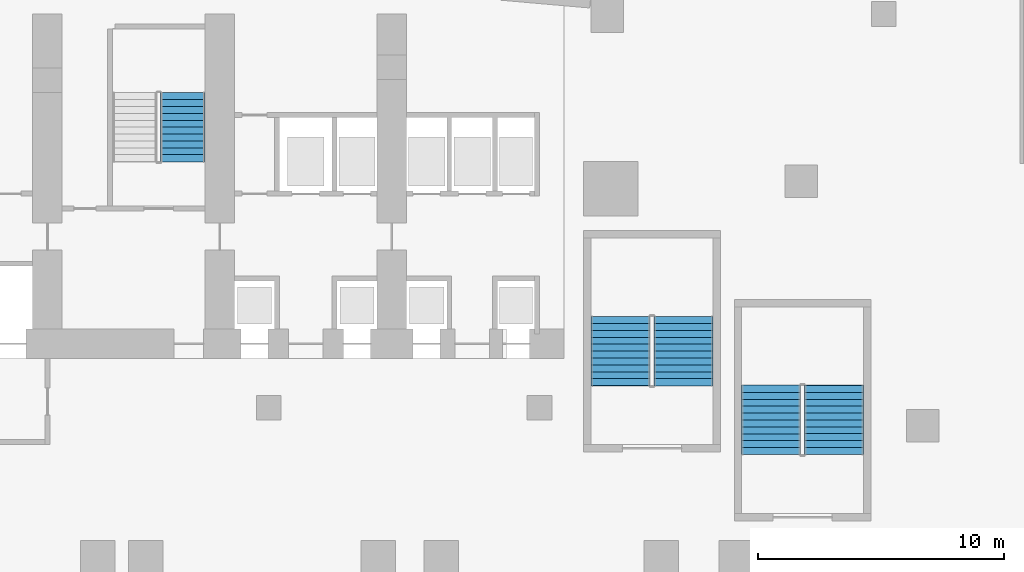
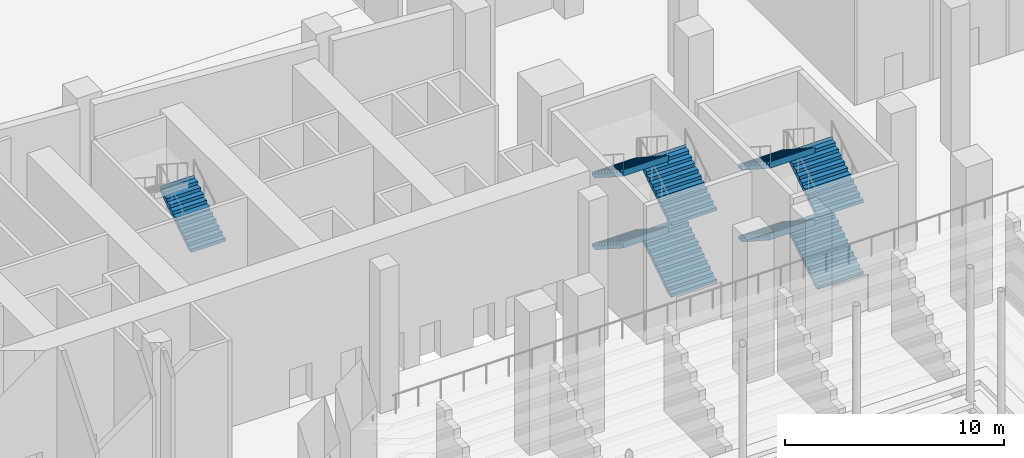
# One storey, part 31 of 41: 9 stair flights, 3 elements without a shape of their own.
"""IFC4 building model written with IfcOpenShell, lengths in metres."""

from ifc_helpers import new_model, si_unit, direction, frame, origin, place, context, subcontext, project, spatial, polyline, outline, extrude, material, type_object, element, aggregate, save


model = new_model("IFC4")

# Units and contexts
model_context = context("Model", 3, precision=1e-05, world=origin(), true_north=direction((0.0, 1.0)))
body_context = subcontext(model_context, "Body", "Model", "MODEL_VIEW")
ifc_project = project(units=[si_unit("LENGTHUNIT", "METRE"), si_unit("AREAUNIT", "SQUARE_METRE"), si_unit("VOLUMEUNIT", "CUBIC_METRE"), si_unit("PLANEANGLEUNIT", "RADIAN"), si_unit("MASSUNIT", "GRAM", prefix="KILO")], contexts=[model_context])

# Site, building, storey
site_placement = place(None, origin())
site = spatial("IfcSite", under=ifc_project, at=site_placement, CompositionType="ELEMENT")
building_placement = place(site_placement, origin())
building = spatial("IfcBuilding", under=site, at=building_placement, Name="Wharfspan Tower", CompositionType="ELEMENT")
storey_placement = place(building_placement, origin())
storey = spatial("IfcBuildingStorey", under=building, at=storey_placement, Name="L00", CompositionType="ELEMENT", Elevation=0.0)

# Stair, stair flights
ifc_material = material(Name="Concrete C40/50", Category="concrete")
stair_type_1 = type_object("IfcStairType", Name="Half-turn stair 2400 wide 44 risers 182 mm", PredefinedType="HALF_TURN_STAIR", material=ifc_material)
stair_1_placement = place(storey_placement, origin())
stair_1 = element("IfcStair", 1, at=stair_1_placement, inside=storey, type_object=stair_type_1, Name="L00 stair PS4", PredefinedType="HALF_TURN_STAIR")
stair_flight_type_1 = type_object("IfcStairFlightType", Name="Stair flight 2400 wide 44 risers 182 mm", PredefinedType="STRAIGHT", material=ifc_material)
stair_flight_1_placement = place(storey_placement, frame((69.850098, 32.899902, 0.0), z_axis=(0.0, 0.0, 1.0), x_axis=(0.0, 1.0, 0.0)))
stair_flight_1 = element("IfcStairFlight", 2, at=stair_flight_1_placement, type_object=stair_flight_type_1, Name="PS4 flight 1", NumberOfRisers=11, NumberOfTreads=10, PredefinedType="STRAIGHT", RiserHeight=0.181818, TreadLength=0.28, context=body_context, shape_type="SweptSolid", body=[
    extrude(outline(polyline([(-0.011963, 0.0), (-0.011963, 0.181885), (0.0, 0.181885), (0.280029, 0.181885), (0.280029, 0.363525), (0.560059, 0.363525), (0.560059, 0.54541), (0.840088, 0.54541), (0.840088, 0.727295), (1.120117, 0.727295), (1.120117, 0.90918), (1.399902, 0.90918), (1.399902, 1.09082), (1.679932, 1.09082), (1.679932, 1.272705), (1.959961, 1.272705), (1.959961, 1.45459), (2.23999, 1.45459), (2.23999, 1.636475), (2.52002, 1.636475), (2.52002, 1.818115), (2.800049, 1.818115), (2.812012, 2.0), (2.812012, 1.639404), (0.275146, 0.0), (-0.011963, 0.0)])), frame((0.0, 1.199951, 0.0), z_axis=(0.0, -1.0, 0.0), x_axis=(1.0, 0.0, 0.0)), (0.0, 0.0, 1.0), 1.199463),
    extrude(outline(polyline([(-0.011963, 0.0), (-0.011963, 0.181885), (0.0, 0.181885), (0.280029, 0.181885), (0.280029, 0.363525), (0.560059, 0.363525), (0.560059, 0.54541), (0.840088, 0.54541), (0.840088, 0.727295), (1.120117, 0.727295), (1.120117, 0.90918), (1.399902, 0.90918), (1.399902, 1.09082), (1.679932, 1.09082), (1.679932, 1.272705), (1.959961, 1.272705), (1.959961, 1.45459), (2.23999, 1.45459), (2.23999, 1.636475), (2.52002, 1.636475), (2.52002, 1.818115), (2.800049, 1.818115), (2.812012, 2.0), (2.812012, 1.639404), (0.275146, 0.0), (-0.011963, 0.0)])), frame((0.0, -0.000488, 0.0), z_axis=(0.0, -1.0, 0.0), x_axis=(1.0, 0.0, 0.0)), (0.0, 0.0, 1.0), 1.199463),
])
stair_flight_2_placement = place(storey_placement, frame((67.300049, 35.699951, 2.0), z_axis=(0.0, 0.0, 1.0), x_axis=(0.0, -1.0, 0.0)))
stair_flight_2 = element("IfcStairFlight", 3, at=stair_flight_2_placement, type_object=stair_flight_type_1, Name="PS4 flight 2", NumberOfRisers=11, NumberOfTreads=10, PredefinedType="STRAIGHT", RiserHeight=0.181818, TreadLength=0.28, context=body_context, shape_type="SweptSolid", body=[
    extrude(outline(polyline([(-0.011963, 0.0), (-0.011963, 0.181885), (0.0, 0.181885), (0.280029, 0.181885), (0.280029, 0.363525), (0.560059, 0.363525), (0.560059, 0.54541), (0.840088, 0.54541), (0.840088, 0.727295), (1.120117, 0.727295), (1.120117, 0.90918), (1.399902, 0.90918), (1.399902, 1.09082), (1.679932, 1.09082), (1.679932, 1.272705), (1.959961, 1.272705), (1.959961, 1.45459), (2.23999, 1.45459), (2.23999, 1.636475), (2.52002, 1.636475), (2.52002, 1.818115), (2.800049, 1.818115), (2.812012, 2.0), (2.812012, 1.639404), (0.275146, 0.0), (-0.011963, 0.0)])), frame((0.0, 1.199951, 0.0), z_axis=(0.0, -1.0, 0.0), x_axis=(1.0, 0.0, 0.0)), (0.0, 0.0, 1.0), 1.199463),
    extrude(outline(polyline([(-0.011963, 0.0), (-0.011963, 0.181885), (0.0, 0.181885), (0.280029, 0.181885), (0.280029, 0.363525), (0.560059, 0.363525), (0.560059, 0.54541), (0.840088, 0.54541), (0.840088, 0.727295), (1.120117, 0.727295), (1.120117, 0.90918), (1.399902, 0.90918), (1.399902, 1.09082), (1.679932, 1.09082), (1.679932, 1.272705), (1.959961, 1.272705), (1.959961, 1.45459), (2.23999, 1.45459), (2.23999, 1.636475), (2.52002, 1.636475), (2.52002, 1.818115), (2.800049, 1.818115), (2.812012, 2.0), (2.812012, 1.639404), (0.275146, 0.0), (-0.011963, 0.0)])), frame((0.0, -0.000488, 0.0), z_axis=(0.0, -1.0, 0.0), x_axis=(1.0, 0.0, 0.0)), (0.0, 0.0, 1.0), 1.199463),
])
stair_flight_3_placement = place(storey_placement, frame((69.850098, 32.899902, 4.0), z_axis=(0.0, 0.0, 1.0), x_axis=(0.0, 1.0, 0.0)))
stair_flight_3 = element("IfcStairFlight", 4, at=stair_flight_3_placement, type_object=stair_flight_type_1, Name="PS4 flight 3", NumberOfRisers=11, NumberOfTreads=10, PredefinedType="STRAIGHT", RiserHeight=0.181818, TreadLength=0.28, context=body_context, shape_type="SweptSolid", body=[
    extrude(outline(polyline([(-0.011963, 0.0), (-0.011963, 0.181885), (0.0, 0.181885), (0.280029, 0.181885), (0.280029, 0.363525), (0.560059, 0.363525), (0.560059, 0.54541), (0.840088, 0.54541), (0.840088, 0.727295), (1.120117, 0.727295), (1.120117, 0.90918), (1.399902, 0.90918), (1.399902, 1.09082), (1.679932, 1.09082), (1.679932, 1.272705), (1.959961, 1.272705), (1.959961, 1.45459), (2.23999, 1.45459), (2.23999, 1.636475), (2.52002, 1.636475), (2.52002, 1.818115), (2.800049, 1.818115), (2.812012, 2.0), (2.812012, 1.639404), (0.275146, 0.0), (-0.011963, 0.0)])), frame((0.0, 1.199951, 0.0), z_axis=(0.0, -1.0, 0.0), x_axis=(1.0, 0.0, 0.0)), (0.0, 0.0, 1.0), 1.199463),
    extrude(outline(polyline([(-0.011963, 0.0), (-0.011963, 0.181885), (0.0, 0.181885), (0.280029, 0.181885), (0.280029, 0.363525), (0.560059, 0.363525), (0.560059, 0.54541), (0.840088, 0.54541), (0.840088, 0.727295), (1.120117, 0.727295), (1.120117, 0.90918), (1.399902, 0.90918), (1.399902, 1.09082), (1.679932, 1.09082), (1.679932, 1.272705), (1.959961, 1.272705), (1.959961, 1.45459), (2.23999, 1.45459), (2.23999, 1.636475), (2.52002, 1.636475), (2.52002, 1.818115), (2.800049, 1.818115), (2.812012, 2.0), (2.812012, 1.639404), (0.275146, 0.0), (-0.011963, 0.0)])), frame((0.0, -0.000488, 0.0), z_axis=(0.0, -1.0, 0.0), x_axis=(1.0, 0.0, 0.0)), (0.0, 0.0, 1.0), 1.199463),
])
stair_flight_4_placement = place(storey_placement, frame((67.300049, 35.699951, 6.0), z_axis=(0.0, 0.0, 1.0), x_axis=(0.0, -1.0, 0.0)))
stair_flight_4 = element("IfcStairFlight", 5, at=stair_flight_4_placement, type_object=stair_flight_type_1, Name="PS4 flight 4", NumberOfRisers=11, NumberOfTreads=10, PredefinedType="STRAIGHT", RiserHeight=0.181818, TreadLength=0.28, context=body_context, shape_type="SweptSolid", body=[
    extrude(outline(polyline([(-0.011963, 0.0), (-0.011963, 0.181885), (0.0, 0.181885), (0.280029, 0.181885), (0.280029, 0.363525), (0.560059, 0.363525), (0.560059, 0.54541), (0.840088, 0.54541), (0.840088, 0.727295), (1.120117, 0.727295), (1.120117, 0.90918), (1.399902, 0.90918), (1.399902, 1.09082), (1.679932, 1.09082), (1.679932, 1.272705), (1.959961, 1.272705), (1.959961, 1.45459), (2.23999, 1.45459), (2.23999, 1.636475), (2.52002, 1.636475), (2.52002, 1.818115), (2.800049, 1.818115), (2.812012, 2.0), (2.812012, 1.639404), (0.275146, 0.0), (-0.011963, 0.0)])), frame((0.0, 1.199951, 0.0), z_axis=(0.0, -1.0, 0.0), x_axis=(1.0, 0.0, 0.0)), (0.0, 0.0, 1.0), 1.199463),
    extrude(outline(polyline([(-0.011963, 0.0), (-0.011963, 0.181885), (0.0, 0.181885), (0.280029, 0.181885), (0.280029, 0.363525), (0.560059, 0.363525), (0.560059, 0.54541), (0.840088, 0.54541), (0.840088, 0.727295), (1.120117, 0.727295), (1.120117, 0.90918), (1.399902, 0.90918), (1.399902, 1.09082), (1.679932, 1.09082), (1.679932, 1.272705), (1.959961, 1.272705), (1.959961, 1.45459), (2.23999, 1.45459), (2.23999, 1.636475), (2.52002, 1.636475), (2.52002, 1.818115), (2.800049, 1.818115), (2.812012, 2.0), (2.812012, 1.639404), (0.275146, 0.0), (-0.011963, 0.0)])), frame((0.0, -0.000488, 0.0), z_axis=(0.0, -1.0, 0.0), x_axis=(1.0, 0.0, 0.0)), (0.0, 0.0, 1.0), 1.199463),
])
aggregate(stair_1, [stair_flight_1, stair_flight_2, stair_flight_3, stair_flight_4])

stair_2_placement = place(storey_placement, origin())
stair_2 = element("IfcStair", 6, at=stair_2_placement, inside=storey, type_object=stair_type_1, Name="L00 stair PS5", PredefinedType="HALF_TURN_STAIR")
stair_flight_5_placement = place(storey_placement, frame((75.967529, 30.100098, 0.0), z_axis=(0.0, 0.0, 1.0), x_axis=(0.0, 1.0, 0.0)))
stair_flight_5 = element("IfcStairFlight", 7, at=stair_flight_5_placement, type_object=stair_flight_type_1, Name="PS5 flight 1", NumberOfRisers=11, NumberOfTreads=10, PredefinedType="STRAIGHT", RiserHeight=0.181818, TreadLength=0.28, context=body_context, shape_type="SweptSolid", body=[
    extrude(outline(polyline([(-0.011963, 0.0), (-0.011963, 0.181885), (0.0, 0.181885), (0.280029, 0.181885), (0.280029, 0.363525), (0.560059, 0.363525), (0.560059, 0.54541), (0.840088, 0.54541), (0.840088, 0.727295), (1.120117, 0.727295), (1.120117, 0.90918), (1.399902, 0.90918), (1.399902, 1.09082), (1.679932, 1.09082), (1.679932, 1.272705), (1.959961, 1.272705), (1.959961, 1.45459), (2.23999, 1.45459), (2.23999, 1.636475), (2.52002, 1.636475), (2.52002, 1.818115), (2.800049, 1.818115), (2.812012, 2.0), (2.812012, 1.639404), (0.275146, 0.0), (-0.011963, 0.0)])), frame((0.0, 1.199951, 0.0), z_axis=(0.0, -1.0, 0.0), x_axis=(1.0, 0.0, 0.0)), (0.0, 0.0, 1.0), 1.199463),
    extrude(outline(polyline([(-0.011963, 0.0), (-0.011963, 0.181885), (0.0, 0.181885), (0.280029, 0.181885), (0.280029, 0.363525), (0.560059, 0.363525), (0.560059, 0.54541), (0.840088, 0.54541), (0.840088, 0.727295), (1.120117, 0.727295), (1.120117, 0.90918), (1.399902, 0.90918), (1.399902, 1.09082), (1.679932, 1.09082), (1.679932, 1.272705), (1.959961, 1.272705), (1.959961, 1.45459), (2.23999, 1.45459), (2.23999, 1.636475), (2.52002, 1.636475), (2.52002, 1.818115), (2.800049, 1.818115), (2.812012, 2.0), (2.812012, 1.639404), (0.275146, 0.0), (-0.011963, 0.0)])), frame((0.0, -0.000488, 0.0), z_axis=(0.0, -1.0, 0.0), x_axis=(1.0, 0.0, 0.0)), (0.0, 0.0, 1.0), 1.199463),
])
stair_flight_6_placement = place(storey_placement, frame((73.41748, 32.899902, 2.0), z_axis=(0.0, 0.0, 1.0), x_axis=(0.0, -1.0, 0.0)))
stair_flight_6 = element("IfcStairFlight", 8, at=stair_flight_6_placement, type_object=stair_flight_type_1, Name="PS5 flight 2", NumberOfRisers=11, NumberOfTreads=10, PredefinedType="STRAIGHT", RiserHeight=0.181818, TreadLength=0.28, context=body_context, shape_type="SweptSolid", body=[
    extrude(outline(polyline([(-0.011963, 0.0), (-0.011963, 0.181885), (0.0, 0.181885), (0.280029, 0.181885), (0.280029, 0.363525), (0.560059, 0.363525), (0.560059, 0.54541), (0.840088, 0.54541), (0.840088, 0.727295), (1.120117, 0.727295), (1.120117, 0.90918), (1.399902, 0.90918), (1.399902, 1.09082), (1.679932, 1.09082), (1.679932, 1.272705), (1.959961, 1.272705), (1.959961, 1.45459), (2.23999, 1.45459), (2.23999, 1.636475), (2.52002, 1.636475), (2.52002, 1.818115), (2.800049, 1.818115), (2.812012, 2.0), (2.812012, 1.639404), (0.275146, 0.0), (-0.011963, 0.0)])), frame((0.0, 1.199951, 0.0), z_axis=(0.0, -1.0, 0.0), x_axis=(1.0, 0.0, 0.0)), (0.0, 0.0, 1.0), 1.199463),
    extrude(outline(polyline([(-0.011963, 0.0), (-0.011963, 0.181885), (0.0, 0.181885), (0.280029, 0.181885), (0.280029, 0.363525), (0.560059, 0.363525), (0.560059, 0.54541), (0.840088, 0.54541), (0.840088, 0.727295), (1.120117, 0.727295), (1.120117, 0.90918), (1.399902, 0.90918), (1.399902, 1.09082), (1.679932, 1.09082), (1.679932, 1.272705), (1.959961, 1.272705), (1.959961, 1.45459), (2.23999, 1.45459), (2.23999, 1.636475), (2.52002, 1.636475), (2.52002, 1.818115), (2.800049, 1.818115), (2.812012, 2.0), (2.812012, 1.639404), (0.275146, 0.0), (-0.011963, 0.0)])), frame((0.0, -0.000488, 0.0), z_axis=(0.0, -1.0, 0.0), x_axis=(1.0, 0.0, 0.0)), (0.0, 0.0, 1.0), 1.199463),
])
stair_flight_7_placement = place(storey_placement, frame((75.967529, 30.100098, 4.0), z_axis=(0.0, 0.0, 1.0), x_axis=(0.0, 1.0, 0.0)))
stair_flight_7 = element("IfcStairFlight", 9, at=stair_flight_7_placement, type_object=stair_flight_type_1, Name="PS5 flight 3", NumberOfRisers=11, NumberOfTreads=10, PredefinedType="STRAIGHT", RiserHeight=0.181818, TreadLength=0.28, context=body_context, shape_type="SweptSolid", body=[
    extrude(outline(polyline([(-0.011963, 0.0), (-0.011963, 0.181885), (0.0, 0.181885), (0.280029, 0.181885), (0.280029, 0.363525), (0.560059, 0.363525), (0.560059, 0.54541), (0.840088, 0.54541), (0.840088, 0.727295), (1.120117, 0.727295), (1.120117, 0.90918), (1.399902, 0.90918), (1.399902, 1.09082), (1.679932, 1.09082), (1.679932, 1.272705), (1.959961, 1.272705), (1.959961, 1.45459), (2.23999, 1.45459), (2.23999, 1.636475), (2.52002, 1.636475), (2.52002, 1.818115), (2.800049, 1.818115), (2.812012, 2.0), (2.812012, 1.639404), (0.275146, 0.0), (-0.011963, 0.0)])), frame((0.0, 1.199951, 0.0), z_axis=(0.0, -1.0, 0.0), x_axis=(1.0, 0.0, 0.0)), (0.0, 0.0, 1.0), 1.199463),
    extrude(outline(polyline([(-0.011963, 0.0), (-0.011963, 0.181885), (0.0, 0.181885), (0.280029, 0.181885), (0.280029, 0.363525), (0.560059, 0.363525), (0.560059, 0.54541), (0.840088, 0.54541), (0.840088, 0.727295), (1.120117, 0.727295), (1.120117, 0.90918), (1.399902, 0.90918), (1.399902, 1.09082), (1.679932, 1.09082), (1.679932, 1.272705), (1.959961, 1.272705), (1.959961, 1.45459), (2.23999, 1.45459), (2.23999, 1.636475), (2.52002, 1.636475), (2.52002, 1.818115), (2.800049, 1.818115), (2.812012, 2.0), (2.812012, 1.639404), (0.275146, 0.0), (-0.011963, 0.0)])), frame((0.0, -0.000488, 0.0), z_axis=(0.0, -1.0, 0.0), x_axis=(1.0, 0.0, 0.0)), (0.0, 0.0, 1.0), 1.199463),
])
stair_flight_8_placement = place(storey_placement, frame((73.41748, 32.899902, 6.0), z_axis=(0.0, 0.0, 1.0), x_axis=(0.0, -1.0, 0.0)))
stair_flight_8 = element("IfcStairFlight", 10, at=stair_flight_8_placement, type_object=stair_flight_type_1, Name="PS5 flight 4", NumberOfRisers=11, NumberOfTreads=10, PredefinedType="STRAIGHT", RiserHeight=0.181818, TreadLength=0.28, context=body_context, shape_type="SweptSolid", body=[
    extrude(outline(polyline([(-0.011963, 0.0), (-0.011963, 0.181885), (0.0, 0.181885), (0.280029, 0.181885), (0.280029, 0.363525), (0.560059, 0.363525), (0.560059, 0.54541), (0.840088, 0.54541), (0.840088, 0.727295), (1.120117, 0.727295), (1.120117, 0.90918), (1.399902, 0.90918), (1.399902, 1.09082), (1.679932, 1.09082), (1.679932, 1.272705), (1.959961, 1.272705), (1.959961, 1.45459), (2.23999, 1.45459), (2.23999, 1.636475), (2.52002, 1.636475), (2.52002, 1.818115), (2.800049, 1.818115), (2.812012, 2.0), (2.812012, 1.639404), (0.275146, 0.0), (-0.011963, 0.0)])), frame((0.0, 1.199951, 0.0), z_axis=(0.0, -1.0, 0.0), x_axis=(1.0, 0.0, 0.0)), (0.0, 0.0, 1.0), 1.199463),
    extrude(outline(polyline([(-0.011963, 0.0), (-0.011963, 0.181885), (0.0, 0.181885), (0.280029, 0.181885), (0.280029, 0.363525), (0.560059, 0.363525), (0.560059, 0.54541), (0.840088, 0.54541), (0.840088, 0.727295), (1.120117, 0.727295), (1.120117, 0.90918), (1.399902, 0.90918), (1.399902, 1.09082), (1.679932, 1.09082), (1.679932, 1.272705), (1.959961, 1.272705), (1.959961, 1.45459), (2.23999, 1.45459), (2.23999, 1.636475), (2.52002, 1.636475), (2.52002, 1.818115), (2.800049, 1.818115), (2.812012, 2.0), (2.812012, 1.639404), (0.275146, 0.0), (-0.011963, 0.0)])), frame((0.0, -0.000488, 0.0), z_axis=(0.0, -1.0, 0.0), x_axis=(1.0, 0.0, 0.0)), (0.0, 0.0, 1.0), 1.199463),
])
aggregate(stair_2, [stair_flight_5, stair_flight_6, stair_flight_7, stair_flight_8])

# Stair, stair flight
stair_type_2 = type_object("IfcStairType", Name="Half-turn stair 44 risers 182 mm", PredefinedType="HALF_TURN_STAIR", material=ifc_material)
stair_3_placement = place(storey_placement, origin())
stair_3 = element("IfcStair", 11, at=stair_3_placement, inside=storey, type_object=stair_type_2, Name="L00 stair ST2", PredefinedType="HALF_TURN_STAIR")
stair_flight_type_2 = type_object("IfcStairFlightType", Name="Stair flight 44 risers 182 mm", PredefinedType="STRAIGHT", material=ifc_material)
stair_flight_9_placement = place(storey_placement, frame((49.5, 42.0, 4.0), z_axis=(0.0, 0.0, 1.0), x_axis=(0.0, 1.0, 0.0)))
stair_flight_9 = element("IfcStairFlight", 12, at=stair_flight_9_placement, type_object=stair_flight_type_2, Name="ST2 flight 3", NumberOfRisers=11, NumberOfTreads=10, PredefinedType="STRAIGHT", RiserHeight=0.181818, TreadLength=0.28, context=body_context, shape_type="SweptSolid", body=[
    extrude(outline(polyline([(-0.011963, 0.0), (-0.011963, 0.181885), (0.0, 0.181885), (0.280029, 0.181885), (0.280029, 0.363525), (0.560059, 0.363525), (0.560059, 0.54541), (0.840088, 0.54541), (0.840088, 0.727295), (1.120117, 0.727295), (1.120117, 0.90918), (1.399902, 0.90918), (1.399902, 1.09082), (1.679932, 1.09082), (1.679932, 1.272705), (1.959961, 1.272705), (1.959961, 1.45459), (2.23999, 1.45459), (2.23999, 1.636475), (2.52002, 1.636475), (2.52002, 1.818115), (2.800049, 1.818115), (2.812012, 2.0), (2.812012, 1.639404), (0.275146, 0.0), (-0.011963, 0.0)])), frame((0.0, 0.899902, 0.0), z_axis=(0.0, -1.0, 0.0), x_axis=(1.0, 0.0, 0.0)), (0.0, 0.0, 1.0), 1.800049),
])
aggregate(stair_3, [stair_flight_9])

save(model, "model.ifc")
